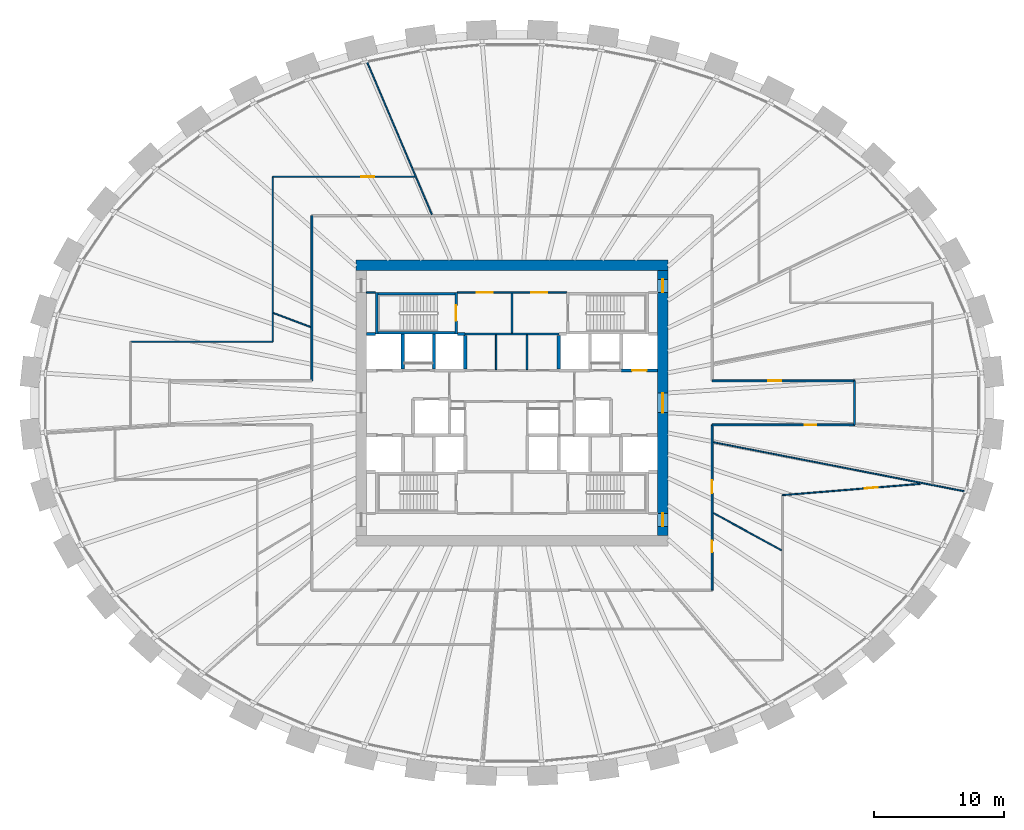
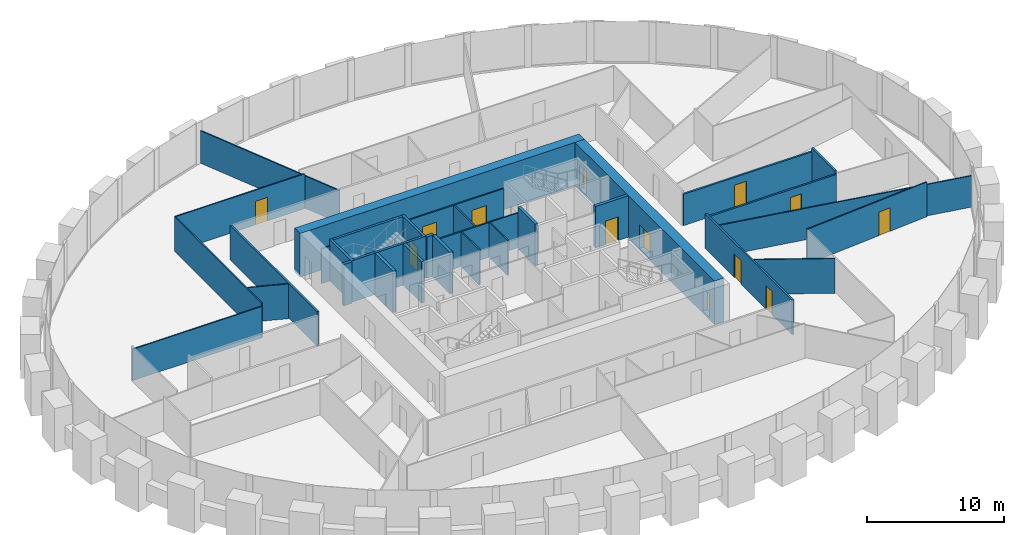
# One storey, part 8 of 10: 32 walls, 13 doors, 13 openings.
"""IFC4 building model written with IfcOpenShell, lengths in metres."""

from ifc_helpers import new_model, si_unit, direction, frame, frame_2d, origin, place, context, subcontext, project, spatial, rectangle, extrude, source, transform, mapped, material, layer, layer_set, type_object, element, fill, save


model = new_model("IFC4")

# Units and contexts
model_context = context("Model", 3, precision=1e-05, world=origin(), true_north=direction((0.0, 1.0)))
body_context = subcontext(model_context, "Body", "Model", "MODEL_VIEW")
ifc_project = project(units=[si_unit("LENGTHUNIT", "METRE"), si_unit("AREAUNIT", "SQUARE_METRE"), si_unit("VOLUMEUNIT", "CUBIC_METRE"), si_unit("PLANEANGLEUNIT", "RADIAN"), si_unit("MASSUNIT", "GRAM", prefix="KILO")], contexts=[model_context])

# Site, building, storey
site_placement = place(None, origin())
site = spatial("IfcSite", under=ifc_project, at=site_placement, CompositionType="ELEMENT")
building_placement = place(site_placement, origin())
building = spatial("IfcBuilding", under=site, at=building_placement, Name="Embergate Tower", CompositionType="ELEMENT")
storey_placement = place(building_placement, frame((0.0, 0.0, 175.5)))
storey = spatial("IfcBuildingStorey", under=building, at=storey_placement, Name="L39", CompositionType="ELEMENT", Elevation=175.5)

# Wall
ifc_material_1 = material(Name="Concrete C70", Category="concrete")
ifc_layer_1 = layer(ifc_material_1, 0.800048828125)
ifc_layer_set_1 = layer_set([ifc_layer_1], Name="Concrete C70")
wall_type_1 = type_object("IfcWallType", Name="Core outer wall C70 800", PredefinedType="SHEAR", material=ifc_layer_set_1)
shared_shape_1 = source(origin(), body_context, "Body", "SweptSolid", [
    extrude(rectangle(XDim=24.0, YDim=0.800048828125, at=frame_2d((12.0, 0.0))), origin(), (0.0, 0.0, 1.0), 3.89990234375),
])
wall_1_placement = place(storey_placement, frame((-12.0, 10.60009765625, -0.199951171875), z_axis=(0.0, 0.0, 1.0), x_axis=(1.0, 0.0, 0.0)))
element("IfcWall", 1, at=wall_1_placement, inside=storey, type_object=wall_type_1, Name="CW-L39-N", PredefinedType="SHEAR", context=body_context, shape_type="MappedRepresentation", body=[
    mapped(shared_shape_1, transform((0.0, 0.0, 0.0))),
])

# Wall, openings, doors
shared_shape_2 = source(origin(), body_context, "Body", "SweptSolid", [
    extrude(rectangle(XDim=20.39990234375, YDim=0.800048828125, at=frame_2d((10.199951171875, 0.0))), origin(), (0.0, 0.0, 1.0), 3.89990234375),
])
wall_2_placement = place(storey_placement, frame((11.60009765625, -10.199951171875, -0.199951171875), z_axis=(0.0, 0.0, 1.0), x_axis=(0.0, 1.0, 0.0)))
wall_2 = element("IfcWall", 2, at=wall_2_placement, inside=storey, type_object=wall_type_1, Name="CW-L39-E", PredefinedType="SHEAR", context=body_context, shape_type="MappedRepresentation", body=[
    mapped(shared_shape_2, transform((0.0, 0.0, 0.0))),
])
shared_shape_3 = source(origin(), body_context, "Body", "SweptSolid", [
    extrude(rectangle(XDim=1.0, YDim=2.10009765625, at=frame_2d((0.5, 1.050048828125))), frame((0.0, 0.409912109375, 0.0), z_axis=(0.0, -1.0, 0.0), x_axis=(1.0, 0.0, 0.0)), (0.0, 0.0, 1.0), 0.820068359375),
])
opening_1_placement = place(wall_2_placement, frame((18.699951171875, 0.0, 0.199951171875)))
opening_1 = element("IfcOpeningElement", 3, at=opening_1_placement, cuts=wall_2, Name="Opening IF-1d", PredefinedType="OPENING", context=body_context, shape_type="MappedRepresentation", body=[
    mapped(shared_shape_3, transform((0.0, 0.0, 0.0))),
])
opening_2_placement = place(wall_2_placement, frame((0.699951171875, 0.0, 0.199951171875)))
opening_2 = element("IfcOpeningElement", 4, at=opening_2_placement, cuts=wall_2, Name="Opening IF-1d", PredefinedType="OPENING", context=body_context, shape_type="MappedRepresentation", body=[
    mapped(shared_shape_3, transform((0.0, 0.0, 0.0))),
])
shared_shape_4 = source(origin(), body_context, "Body", "SweptSolid", [
    extrude(rectangle(XDim=1.5, YDim=2.10009765625, at=frame_2d((0.75, 1.050048828125))), frame((0.0, 0.409912109375, 0.0), z_axis=(0.0, -1.0, 0.0), x_axis=(1.0, 0.0, 0.0)), (0.0, 0.0, 1.0), 0.820068359375),
])
opening_3_placement = place(wall_2_placement, frame((9.449951171875, 0.0, 0.199951171875)))
opening_3 = element("IfcOpeningElement", 5, at=opening_3_placement, cuts=wall_2, Name="Opening IF-3", PredefinedType="OPENING", context=body_context, shape_type="MappedRepresentation", body=[
    mapped(shared_shape_4, transform((0.0, 0.0, 0.0))),
])
ifc_material_2 = material(Name="Lobby fire door pair 1500")
door_type_1 = type_object("IfcDoorType", Name="Lobby fire door pair 1500", OperationType="DOUBLE_DOOR_SINGLE_SWING", PredefinedType="DOOR", material=ifc_material_2)
shared_shape_5 = source(origin(), body_context, "Body", "SweptSolid", [
    extrude(rectangle(XDim=1.5, YDim=2.10009765625, at=frame_2d((0.75, 1.050048828125))), frame((0.0, 0.02490234375, 0.0), z_axis=(0.0, -1.0, 0.0), x_axis=(1.0, 0.0, 0.0)), (0.0, 0.0, 1.0), 0.050048828125),
])
door_1_placement = place(opening_3_placement, origin())
door_1 = element("IfcDoor", 6, at=door_1_placement, inside=storey, type_object=door_type_1, Name="IF-3 door", OperationType="DOUBLE_DOOR_SINGLE_SWING", OverallHeight=2.10009765625, OverallWidth=1.5, PredefinedType="DOOR", context=body_context, shape_type="MappedRepresentation", body=[
    mapped(shared_shape_5, transform((0.0, 0.0, 0.0))),
])
fill(opening_3, door_1)
ifc_material_3 = material(Name="Escape fire door 1000")
door_type_2 = type_object("IfcDoorType", Name="Escape fire door 1000", OperationType="SINGLE_SWING_LEFT", PredefinedType="DOOR", material=ifc_material_3)
shared_shape_6 = source(origin(), body_context, "Body", "SweptSolid", [
    extrude(rectangle(XDim=1.0, YDim=2.10009765625, at=frame_2d((0.5, 1.050048828125))), frame((0.0, 0.02490234375, 0.0), z_axis=(0.0, -1.0, 0.0), x_axis=(1.0, 0.0, 0.0)), (0.0, 0.0, 1.0), 0.050048828125),
])
door_2_placement = place(opening_1_placement, origin())
door_2 = element("IfcDoor", 7, at=door_2_placement, inside=storey, type_object=door_type_2, Name="IF-1 door", OperationType="SINGLE_SWING_RIGHT", OverallHeight=2.10009765625, OverallWidth=1.0, PredefinedType="DOOR", context=body_context, shape_type="MappedRepresentation", body=[
    mapped(shared_shape_6, transform((0.0, 0.0, 0.0))),
])
fill(opening_1, door_2)
door_3_placement = place(opening_2_placement, origin())
door_3 = element("IfcDoor", 8, at=door_3_placement, inside=storey, type_object=door_type_2, Name="IF-1 door", OperationType="SINGLE_SWING_RIGHT", OverallHeight=2.10009765625, OverallWidth=1.0, PredefinedType="DOOR", context=body_context, shape_type="MappedRepresentation", body=[
    mapped(shared_shape_6, transform((0.0, 0.0, 0.0))),
])
fill(opening_2, door_3)

# Walls
ifc_material_4 = material(Name="Concrete C50", Category="concrete")
ifc_layer_2 = layer(ifc_material_4, 0.25)
ifc_layer_set_2 = layer_set([ifc_layer_2], Name="Concrete C50")
wall_type_2 = type_object("IfcWallType", Name="Hoistway wall reinforced concrete 250", PredefinedType="SHEAR", material=ifc_layer_set_2)
shared_shape_7 = source(origin(), body_context, "Body", "SweptSolid", [
    extrude(rectangle(XDim=2.675048828125, YDim=0.25, at=frame_2d((1.33740234375, 0.0))), origin(), (0.0, 0.0, 1.0), 3.699951171875),
])
for number, where, z_axis, x_axis, name in (
    (9, (-8.39990234375, 2.625, 0.0), (0.0, 0.0, 1.0), (0.0, 1.0, 0.0), "HW-1 wall"),
    (10, (-6.0, 2.625, 0.0), (0.0, 0.0, 1.0), (0.0, 1.0, 0.0), "HW-1 wall"),
):
    element("IfcWall", number, at=place(storey_placement, frame(where, z_axis=z_axis, x_axis=x_axis)), inside=storey, type_object=wall_type_2, Name=name, PredefinedType="SHEAR", context=body_context, shape_type="MappedRepresentation", body=[
        mapped(shared_shape_7, transform((0.0, 0.0, 0.0))),
    ])
ifc_layer_3 = layer(ifc_material_4, 0.199951171875)
ifc_layer_set_3 = layer_set([ifc_layer_3], Name="Concrete C50")
wall_type_3 = type_object("IfcWallType", Name="Stair enclosure wall reinforced concrete 250", PredefinedType="SHEAR", material=ifc_layer_set_3)
shared_shape_8 = source(origin(), body_context, "Body", "SweptSolid", [
    extrude(rectangle(XDim=6.300048828125, YDim=0.199951171875, at=frame_2d((3.14990234375, 0.0))), origin(), (0.0, 0.0, 1.0), 3.699951171875),
])
for number, where, z_axis, x_axis, name in (
    (11, (-4.199951171875, 5.39990234375, 0.0), (0.0, 0.0, 1.0), (-1.0, 0.0, 0.0), "SE-1 wall"),
    (12, (-4.199951171875, 8.39990234375, 0.0), (0.0, 0.0, 1.0), (-1.0, 0.0, 0.0), "SE-1 wall"),
):
    element("IfcWall", number, at=place(storey_placement, frame(where, z_axis=z_axis, x_axis=x_axis)), inside=storey, type_object=wall_type_3, Name=name, PredefinedType="SHEAR", context=body_context, shape_type="MappedRepresentation", body=[
        mapped(shared_shape_8, transform((0.0, 0.0, 0.0))),
    ])
shared_shape_9 = source(origin(), body_context, "Body", "SweptSolid", [
    extrude(rectangle(XDim=2.550048828125, YDim=0.25, at=frame_2d((1.27490234375, 0.0))), origin(), (0.0, 0.0, 1.0), 3.699951171875),
])
for number, where, z_axis, x_axis, name in (
    (13, (-3.60009765625, 2.625, 0.0), (0.0, 0.0, 1.0), (0.0, 1.0, 0.0), "HW-1 wall"),
    (14, (3.60009765625, 5.175048828125, 0.0), (0.0, 0.0, 1.0), (0.0, -1.0, 0.0), "HW-1 wall"),
):
    element("IfcWall", number, at=place(storey_placement, frame(where, z_axis=z_axis, x_axis=x_axis)), inside=storey, type_object=wall_type_2, Name=name, PredefinedType="SHEAR", context=body_context, shape_type="MappedRepresentation", body=[
        mapped(shared_shape_9, transform((0.0, 0.0, 0.0))),
    ])

# Wall, opening, door
shared_shape_10 = source(origin(), body_context, "Body", "SweptSolid", [
    extrude(rectangle(XDim=3.199951171875, YDim=0.199951171875, at=frame_2d((1.60009765625, 0.0))), origin(), (0.0, 0.0, 1.0), 3.699951171875),
])
wall_3_placement = place(storey_placement, frame((-4.300048828125, 5.300048828125, 0.0), z_axis=(0.0, 0.0, 1.0), x_axis=(0.0, 1.0, 0.0)))
wall_3 = element("IfcWall", 15, at=wall_3_placement, inside=storey, type_object=wall_type_3, Name="SE-1 wall", PredefinedType="SHEAR", context=body_context, shape_type="MappedRepresentation", body=[
    mapped(shared_shape_10, transform((0.0, 0.0, 0.0))),
])
shared_shape_11 = source(origin(), body_context, "Body", "SweptSolid", [
    extrude(rectangle(XDim=1.199951171875, YDim=2.10009765625, at=frame_2d((0.60009765625, 1.050048828125))), frame((0.0, 0.10986328125, 0.0), z_axis=(0.0, -1.0, 0.0), x_axis=(1.0, 0.0, 0.0)), (0.0, 0.0, 1.0), 0.219970703125),
])
opening_4_placement = place(wall_3_placement, frame((1.0, 0.0, 0.0)))
opening_4 = element("IfcOpeningElement", 16, at=opening_4_placement, cuts=wall_3, Name="Opening IF-2", PredefinedType="OPENING", context=body_context, shape_type="MappedRepresentation", body=[
    mapped(shared_shape_11, transform((0.0, 0.0, 0.0))),
])
ifc_material_5 = material(Name="Stair enclosure door 1200")
door_type_3 = type_object("IfcDoorType", Name="Stair enclosure door 1200", OperationType="SINGLE_SWING_LEFT", PredefinedType="DOOR", material=ifc_material_5)
shared_shape_12 = source(origin(), body_context, "Body", "SweptSolid", [
    extrude(rectangle(XDim=1.199951171875, YDim=2.10009765625, at=frame_2d((0.60009765625, 1.050048828125))), frame((0.0, 0.02490234375, 0.0), z_axis=(0.0, -1.0, 0.0), x_axis=(1.0, 0.0, 0.0)), (0.0, 0.0, 1.0), 0.050048828125),
])
door_4_placement = place(opening_4_placement, origin())
door_4 = element("IfcDoor", 17, at=door_4_placement, inside=storey, type_object=door_type_3, Name="IF-2 door", OperationType="SINGLE_SWING_LEFT", OverallHeight=2.10009765625, OverallWidth=1.199951171875, PredefinedType="DOOR", context=body_context, shape_type="MappedRepresentation", body=[
    mapped(shared_shape_12, transform((0.0, 0.0, 0.0))),
])
fill(opening_4, door_4)

# Wall, openings, doors
ifc_material_6 = material(Name="Core partition blockwork 120")
ifc_layer_4 = layer(ifc_material_6, 0.1201171875)
ifc_layer_set_4 = layer_set([ifc_layer_4], Name="Core partition blockwork 120")
wall_type_4 = type_object("IfcWallType", Name="Core partition blockwork 120", PredefinedType="PARTITIONING", material=ifc_layer_set_4)
shared_shape_13 = source(origin(), body_context, "Body", "SweptSolid", [
    extrude(rectangle(XDim=8.39990234375, YDim=0.1201171875, at=frame_2d((4.199951171875, 0.0))), origin(), (0.0, 0.0, 1.0), 3.10009765625),
])
wall_4_placement = place(storey_placement, frame((4.199951171875, 8.5, 0.0), z_axis=(0.0, 0.0, 1.0), x_axis=(-1.0, 0.0, 0.0)))
wall_4 = element("IfcWall", 18, at=wall_4_placement, inside=storey, type_object=wall_type_4, Name="IP-3 wall", PredefinedType="PARTITIONING", context=body_context, shape_type="MappedRepresentation", body=[
    mapped(shared_shape_13, transform((0.0, 0.0, 0.0))),
])
shared_shape_14 = source(origin(), body_context, "Body", "SweptSolid", [
    extrude(rectangle(XDim=1.199951171875, YDim=2.10009765625, at=frame_2d((0.60009765625, 1.050048828125))), frame((0.0, 0.070068359375, 0.0), z_axis=(0.0, -1.0, 0.0), x_axis=(1.0, 0.0, 0.0)), (0.0, 0.0, 1.0), 0.14013671875),
])
opening_5_placement = place(wall_4_placement, frame((5.699951171875, 0.0, 0.0)))
opening_5 = element("IfcOpeningElement", 19, at=opening_5_placement, cuts=wall_4, Name="Opening IF-3f", PredefinedType="OPENING", context=body_context, shape_type="MappedRepresentation", body=[
    mapped(shared_shape_14, transform((0.0, 0.0, 0.0))),
])
opening_6_placement = place(wall_4_placement, frame((1.5, 0.0, 0.0)))
opening_6 = element("IfcOpeningElement", 20, at=opening_6_placement, cuts=wall_4, Name="Opening IF-3f", PredefinedType="OPENING", context=body_context, shape_type="MappedRepresentation", body=[
    mapped(shared_shape_14, transform((0.0, 0.0, 0.0))),
])
ifc_material_7 = material(Name="Lobby fire door pair 1200")
door_type_4 = type_object("IfcDoorType", Name="Lobby fire door pair 1200", OperationType="DOUBLE_DOOR_SINGLE_SWING", PredefinedType="DOOR", material=ifc_material_7)
door_5_placement = place(opening_5_placement, origin())
door_5 = element("IfcDoor", 21, at=door_5_placement, inside=storey, type_object=door_type_4, Name="IF-3 door", OperationType="DOUBLE_DOOR_SINGLE_SWING", OverallHeight=2.10009765625, OverallWidth=1.199951171875, PredefinedType="DOOR", context=body_context, shape_type="MappedRepresentation", body=[
    mapped(shared_shape_12, transform((0.0, 0.0, 0.0))),
])
fill(opening_5, door_5)
door_6_placement = place(opening_6_placement, origin())
door_6 = element("IfcDoor", 22, at=door_6_placement, inside=storey, type_object=door_type_4, Name="IF-3 door", OperationType="DOUBLE_DOOR_SINGLE_SWING", OverallHeight=2.10009765625, OverallWidth=1.199951171875, PredefinedType="DOOR", context=body_context, shape_type="MappedRepresentation", body=[
    mapped(shared_shape_12, transform((0.0, 0.0, 0.0))),
])
fill(opening_6, door_6)

# Walls
shared_shape_15 = source(origin(), body_context, "Body", "SweptSolid", [
    extrude(rectangle(XDim=2.679931640625, YDim=0.1201171875, at=frame_2d((1.33984375, 0.0))), origin(), (0.0, 0.0, 1.0), 3.10009765625),
])
for number, where, z_axis, x_axis, name in (
    (23, (-1.22412109375, 2.56005859375, 0.0), (0.0, 0.0, 1.0), (0.0, 1.0, 0.0), "IP-3 wall"),
    (24, (1.152099609375, 2.56005859375, 0.0), (0.0, 0.0, 1.0), (0.0, 1.0, 0.0), "IP-3 wall"),
):
    element("IfcWall", number, at=place(storey_placement, frame(where, z_axis=z_axis, x_axis=x_axis)), inside=storey, type_object=wall_type_4, Name=name, PredefinedType="PARTITIONING", context=body_context, shape_type="MappedRepresentation", body=[
        mapped(shared_shape_15, transform((0.0, 0.0, 0.0))),
    ])

# Wall, opening, door
shared_shape_16 = source(origin(), body_context, "Body", "SweptSolid", [
    extrude(rectangle(XDim=2.800048828125, YDim=0.25, at=frame_2d((1.39990234375, 0.0))), origin(), (0.0, 0.0, 1.0), 3.699951171875),
])
wall_5_placement = place(storey_placement, frame((8.39990234375, 2.5, 0.0), z_axis=(0.0, 0.0, 1.0), x_axis=(1.0, 0.0, 0.0)))
wall_5 = element("IfcWall", 25, at=wall_5_placement, inside=storey, type_object=wall_type_2, Name="HW-1 wall", PredefinedType="SHEAR", context=body_context, shape_type="MappedRepresentation", body=[
    mapped(shared_shape_16, transform((0.0, 0.0, 0.0))),
])
shared_shape_17 = source(origin(), body_context, "Body", "SweptSolid", [
    extrude(rectangle(XDim=1.10009765625, YDim=2.10009765625, at=frame_2d((0.550048828125, 1.050048828125))), frame((0.0, 0.135009765625, 0.0), z_axis=(0.0, -1.0, 0.0), x_axis=(1.0, 0.0, 0.0)), (0.0, 0.0, 1.0), 0.27001953125),
])
opening_7_placement = place(wall_5_placement, frame((0.85009765625, 0.0, 0.0)))
opening_7 = element("IfcOpeningElement", 26, at=opening_7_placement, cuts=wall_5, Name="Opening LD", PredefinedType="OPENING", context=body_context, shape_type="MappedRepresentation", body=[
    mapped(shared_shape_17, transform((0.0, 0.0, 0.0))),
])
ifc_material_8 = material(Name="Landing door sliding 1100")
door_type_5 = type_object("IfcDoorType", Name="Landing door sliding 1100", OperationType="SLIDING_TO_LEFT", PredefinedType="DOOR", material=ifc_material_8)
shared_shape_18 = source(origin(), body_context, "Body", "SweptSolid", [
    extrude(rectangle(XDim=1.10009765625, YDim=2.10009765625, at=frame_2d((0.550048828125, 1.050048828125))), frame((0.0, 0.02490234375, 0.0), z_axis=(0.0, -1.0, 0.0), x_axis=(1.0, 0.0, 0.0)), (0.0, 0.0, 1.0), 0.050048828125),
])
door_7_placement = place(opening_7_placement, origin())
door_7 = element("IfcDoor", 27, at=door_7_placement, inside=storey, type_object=door_type_5, Name="LD door", OperationType="SLIDING_TO_LEFT", OverallHeight=2.10009765625, OverallWidth=1.10009765625, PredefinedType="DOOR", context=body_context, shape_type="MappedRepresentation", body=[
    mapped(shared_shape_18, transform((0.0, 0.0, 0.0))),
])
fill(opening_7, door_7)

# Walls
shared_shape_19 = source(origin(), body_context, "Body", "SweptSolid", [
    extrude(rectangle(XDim=0.599853515625, YDim=0.25, at=frame_2d((0.2998046875, 0.0))), origin(), (0.0, 0.0, 1.0), 3.699951171875),
])
wall_6_placement = place(storey_placement, frame((-3.60009765625, 5.300048828125, 0.0), z_axis=(0.0, 0.0, 1.0), x_axis=(-1.0, 0.0, 0.0)))
element("IfcWall", 28, at=wall_6_placement, inside=storey, type_object=wall_type_2, Name="HW-1 wall", PredefinedType="SHEAR", context=body_context, shape_type="MappedRepresentation", body=[
    mapped(shared_shape_19, transform((0.0, 0.0, 0.0))),
])
shared_shape_20 = source(origin(), body_context, "Body", "SweptSolid", [
    extrude(rectangle(XDim=7.2001953125, YDim=0.1201171875, at=frame_2d((3.60009765625, 0.0))), origin(), (0.0, 0.0, 1.0), 3.10009765625),
])
wall_7_placement = place(storey_placement, frame((-3.60009765625, 5.300048828125, 0.0), z_axis=(0.0, 0.0, 1.0), x_axis=(1.0, 0.0, 0.0)))
element("IfcWall", 29, at=wall_7_placement, inside=storey, type_object=wall_type_4, Name="IP-3 wall", PredefinedType="PARTITIONING", context=body_context, shape_type="MappedRepresentation", body=[
    mapped(shared_shape_20, transform((0.0, 0.0, 0.0))),
])
shared_shape_21 = source(origin(), body_context, "Body", "SweptSolid", [
    extrude(rectangle(XDim=3.079833984375, YDim=0.1201171875, at=frame_2d((1.5400390625, 0.0))), origin(), (0.0, 0.0, 1.0), 3.10009765625),
])
wall_8_placement = place(storey_placement, frame((0.0, 5.360107421875, 0.0), z_axis=(0.0, 0.0, 1.0), x_axis=(0.0, 1.0, 0.0)))
element("IfcWall", 30, at=wall_8_placement, inside=storey, type_object=wall_type_4, Name="IP-3 wall", PredefinedType="PARTITIONING", context=body_context, shape_type="MappedRepresentation", body=[
    mapped(shared_shape_21, transform((0.0, 0.0, 0.0))),
])
shared_shape_22 = source(origin(), body_context, "Body", "SweptSolid", [
    extrude(rectangle(XDim=3.196044921875, YDim=0.199951171875, at=frame_2d((1.59814453125, 0.0))), origin(), (0.0, 0.0, 1.0), 3.699951171875),
])
wall_9_placement = place(storey_placement, frame((-10.39990234375, 8.498046875, 0.0), z_axis=(0.0, 0.0, 1.0), x_axis=(0.0, -1.0, 0.0)))
element("IfcWall", 31, at=wall_9_placement, inside=storey, type_object=wall_type_3, Name="SE-1 wall", PredefinedType="SHEAR", context=body_context, shape_type="MappedRepresentation", body=[
    mapped(shared_shape_22, transform((0.0, 0.0, 0.0))),
])
shared_shape_23 = source(origin(), body_context, "Body", "SweptSolid", [
    extrude(rectangle(XDim=0.697998046875, YDim=0.25, at=frame_2d((0.34912109375, 0.0))), origin(), (0.0, 0.0, 1.0), 3.699951171875),
])
wall_10_placement = place(storey_placement, frame((-10.501953125, 5.300048828125, 0.0), z_axis=(0.0, 0.0, 1.0), x_axis=(-1.0, 0.0, 0.0)))
element("IfcWall", 32, at=wall_10_placement, inside=storey, type_object=wall_type_2, Name="HW-1 wall", PredefinedType="SHEAR", context=body_context, shape_type="MappedRepresentation", body=[
    mapped(shared_shape_23, transform((0.0, 0.0, 0.0))),
])
shared_shape_24 = source(origin(), body_context, "Body", "SweptSolid", [
    extrude(rectangle(XDim=0.697998046875, YDim=0.1201171875, at=frame_2d((0.34912109375, 0.0))), origin(), (0.0, 0.0, 1.0), 3.10009765625),
])
wall_11_placement = place(storey_placement, frame((-11.199951171875, 8.5, 0.0), z_axis=(0.0, 0.0, 1.0), x_axis=(1.0, 0.0, 0.0)))
element("IfcWall", 33, at=wall_11_placement, inside=storey, type_object=wall_type_4, Name="IP-3 wall", PredefinedType="PARTITIONING", context=body_context, shape_type="MappedRepresentation", body=[
    mapped(shared_shape_24, transform((0.0, 0.0, 0.0))),
])

# Wall, opening, door
ifc_material_9 = material(Name="Corridor wall dry-lined 150")
ifc_layer_5 = layer(ifc_material_9, 0.14990234375)
ifc_layer_set_5 = layer_set([ifc_layer_5], Name="Corridor wall dry-lined 150")
wall_type_5 = type_object("IfcWallType", Name="Corridor wall dry-lined 150", PredefinedType="PARTITIONING", material=ifc_layer_set_5)
shared_shape_25 = source(origin(), body_context, "Body", "SweptSolid", [
    extrude(rectangle(XDim=10.9501953125, YDim=0.14990234375, at=frame_2d((5.47509765625, 0.0))), origin(), (0.0, 0.0, 1.0), 2.800048828125),
])
wall_12_placement = place(storey_placement, frame((26.35009765625, -1.699951171875, 0.0), z_axis=(0.0, 0.0, 1.0), x_axis=(-1.0, 0.0, 0.0)))
wall_12 = element("IfcWall", 34, at=wall_12_placement, inside=storey, type_object=wall_type_5, Name="IP-2 wall", PredefinedType="PARTITIONING", context=body_context, shape_type="MappedRepresentation", body=[
    mapped(shared_shape_25, transform((0.0, 0.0, 0.0))),
])
shared_shape_26 = source(origin(), body_context, "Body", "SweptSolid", [
    extrude(rectangle(XDim=0.89990234375, YDim=2.10009765625, at=frame_2d((0.449951171875, 1.050048828125))), frame((0.0, 0.0849609375, 0.0), z_axis=(0.0, -1.0, 0.0), x_axis=(1.0, 0.0, 0.0)), (0.0, 0.0, 1.0), 0.169921875),
])
opening_8_placement = place(wall_12_placement, frame((2.946044921875, 0.0, 0.0)))
opening_8 = element("IfcOpeningElement", 35, at=opening_8_placement, cuts=wall_12, Name="Opening IF-1c", PredefinedType="OPENING", context=body_context, shape_type="MappedRepresentation", body=[
    mapped(shared_shape_26, transform((0.0, 0.0, 0.0))),
])
ifc_material_10 = material(Name="Escape fire door 900")
door_type_6 = type_object("IfcDoorType", Name="Escape fire door 900", OperationType="SINGLE_SWING_LEFT", PredefinedType="DOOR", material=ifc_material_10)
shared_shape_27 = source(origin(), body_context, "Body", "SweptSolid", [
    extrude(rectangle(XDim=0.89990234375, YDim=2.10009765625, at=frame_2d((0.449951171875, 1.050048828125))), frame((0.0, 0.02490234375, 0.0), z_axis=(0.0, -1.0, 0.0), x_axis=(1.0, 0.0, 0.0)), (0.0, 0.0, 1.0), 0.050048828125),
])
door_8_placement = place(opening_8_placement, origin())
door_8 = element("IfcDoor", 36, at=door_8_placement, inside=storey, type_object=door_type_6, Name="IF-1 door", OperationType="SINGLE_SWING_LEFT", OverallHeight=2.10009765625, OverallWidth=0.89990234375, PredefinedType="DOOR", context=body_context, shape_type="MappedRepresentation", body=[
    mapped(shared_shape_27, transform((0.0, 0.0, 0.0))),
])
fill(opening_8, door_8)

wall_13_placement = place(storey_placement, frame((15.39990234375, 1.699951171875, 0.0), z_axis=(0.0, 0.0, 1.0), x_axis=(1.0, 0.0, 0.0)))
wall_13 = element("IfcWall", 37, at=wall_13_placement, inside=storey, type_object=wall_type_5, Name="IP-2 wall", PredefinedType="PARTITIONING", context=body_context, shape_type="MappedRepresentation", body=[
    mapped(shared_shape_25, transform((0.0, 0.0, 0.0))),
])
shared_shape_28 = source(origin(), body_context, "Body", "SweptSolid", [
    extrude(rectangle(XDim=1.0, YDim=2.10009765625, at=frame_2d((0.5, 1.050048828125))), frame((0.0, 0.0849609375, 0.0), z_axis=(0.0, -1.0, 0.0), x_axis=(1.0, 0.0, 0.0)), (0.0, 0.0, 1.0), 0.169921875),
])
opening_9_placement = place(wall_13_placement, frame((4.321044921875, 0.0, 0.0)))
opening_9 = element("IfcOpeningElement", 38, at=opening_9_placement, cuts=wall_13, Name="Opening ID-2", PredefinedType="OPENING", context=body_context, shape_type="MappedRepresentation", body=[
    mapped(shared_shape_28, transform((0.0, 0.0, 0.0))),
])
ifc_material_11 = material(Name="Interior door 1000")
door_type_7 = type_object("IfcDoorType", Name="Interior door 1000", OperationType="SINGLE_SWING_LEFT", PredefinedType="DOOR", material=ifc_material_11)
door_9_placement = place(opening_9_placement, origin())
door_9 = element("IfcDoor", 39, at=door_9_placement, inside=storey, type_object=door_type_7, Name="ID-2 door", OperationType="SINGLE_SWING_LEFT", OverallHeight=2.10009765625, OverallWidth=1.0, PredefinedType="DOOR", context=body_context, shape_type="MappedRepresentation", body=[
    mapped(shared_shape_6, transform((0.0, 0.0, 0.0))),
])
fill(opening_9, door_9)

# Wall
ifc_material_12 = material(Name="Partition dry-lined 100")
ifc_layer_6 = layer(ifc_material_12, 0.10009765625)
ifc_layer_set_6 = layer_set([ifc_layer_6], Name="Partition dry-lined 100")
wall_type_6 = type_object("IfcWallType", Name="Partition dry-lined 100", PredefinedType="PARTITIONING", material=ifc_layer_set_6)
shared_shape_29 = source(origin(), body_context, "Body", "SweptSolid", [
    extrude(rectangle(XDim=10.9501953125, YDim=0.10009765625, at=frame_2d((5.47509765625, 0.0))), origin(), (0.0, 0.0, 1.0), 2.800048828125),
])
wall_14_placement = place(storey_placement, frame((-18.39990234375, 4.699951171875, 0.0), z_axis=(0.0, 0.0, 1.0), x_axis=(-1.0, 0.0, 0.0)))
element("IfcWall", 40, at=wall_14_placement, inside=storey, type_object=wall_type_6, Name="IP-1 wall", PredefinedType="PARTITIONING", context=body_context, shape_type="MappedRepresentation", body=[
    mapped(shared_shape_29, transform((0.0, 0.0, 0.0))),
])

# Wall, openings, doors
shared_shape_30 = source(origin(), body_context, "Body", "SweptSolid", [
    extrude(rectangle(XDim=12.699951171875, YDim=0.14990234375, at=frame_2d((6.35009765625, 0.0))), origin(), (0.0, 0.0, 1.0), 3.10009765625),
])
wall_15_placement = place(storey_placement, frame((15.39990234375, -1.699951171875, 0.0), z_axis=(0.0, 0.0, 1.0), x_axis=(0.0, -1.0, 0.0)))
wall_15 = element("IfcWall", 41, at=wall_15_placement, inside=storey, type_object=wall_type_5, Name="IP-2 wall", PredefinedType="PARTITIONING", context=body_context, shape_type="MappedRepresentation", body=[
    mapped(shared_shape_30, transform((0.0, 0.0, 0.0))),
])
opening_10_placement = place(wall_15_placement, frame((8.905029296875, 0.0, 0.0)))
opening_10 = element("IfcOpeningElement", 42, at=opening_10_placement, cuts=wall_15, Name="Opening IF-1c", PredefinedType="OPENING", context=body_context, shape_type="MappedRepresentation", body=[
    mapped(shared_shape_26, transform((0.0, 0.0, 0.0))),
])
opening_11_placement = place(wall_15_placement, frame((4.241943359375, 0.0, 0.0)))
opening_11 = element("IfcOpeningElement", 43, at=opening_11_placement, cuts=wall_15, Name="Opening ID-2", PredefinedType="OPENING", context=body_context, shape_type="MappedRepresentation", body=[
    mapped(shared_shape_28, transform((0.0, 0.0, 0.0))),
])
door_10_placement = place(opening_10_placement, origin())
door_10 = element("IfcDoor", 44, at=door_10_placement, inside=storey, type_object=door_type_6, Name="IF-1 door", OperationType="SINGLE_SWING_LEFT", OverallHeight=2.10009765625, OverallWidth=0.89990234375, PredefinedType="DOOR", context=body_context, shape_type="MappedRepresentation", body=[
    mapped(shared_shape_27, transform((0.0, 0.0, 0.0))),
])
fill(opening_10, door_10)
door_11_placement = place(opening_11_placement, origin())
door_11 = element("IfcDoor", 45, at=door_11_placement, inside=storey, type_object=door_type_7, Name="ID-2 door", OperationType="SINGLE_SWING_RIGHT", OverallHeight=2.10009765625, OverallWidth=1.0, PredefinedType="DOOR", context=body_context, shape_type="MappedRepresentation", body=[
    mapped(shared_shape_6, transform((0.0, 0.0, 0.0))),
])
fill(opening_11, door_11)

# Walls
wall_16_placement = place(storey_placement, frame((-15.39990234375, 1.699951171875, 0.0), z_axis=(0.0, 0.0, 1.0), x_axis=(0.0, 1.0, 0.0)))
element("IfcWall", 46, at=wall_16_placement, inside=storey, type_object=wall_type_5, Name="IP-2 wall", PredefinedType="PARTITIONING", context=body_context, shape_type="MappedRepresentation", body=[
    mapped(shared_shape_30, transform((0.0, 0.0, 0.0))),
])
shared_shape_31 = source(origin(), body_context, "Body", "SweptSolid", [
    extrude(rectangle(XDim=3.39990234375, YDim=0.14990234375, at=frame_2d((1.699951171875, 0.0))), origin(), (0.0, 0.0, 1.0), 3.10009765625),
])
wall_17_placement = place(storey_placement, frame((26.35009765625, 1.699951171875, 0.0), z_axis=(0.0, 0.0, 1.0), x_axis=(0.0, -1.0, 0.0)))
element("IfcWall", 47, at=wall_17_placement, inside=storey, type_object=wall_type_5, Name="IP-2 wall", PredefinedType="PARTITIONING", context=body_context, shape_type="MappedRepresentation", body=[
    mapped(shared_shape_31, transform((0.0, 0.0, 0.0))),
])
shared_shape_32 = source(origin(), body_context, "Body", "SweptSolid", [
    extrude(rectangle(XDim=5.95849609375, YDim=0.10009765625, at=frame_2d((2.979248046875, 0.0))), origin(), (0.0, 0.0, 1.0), 3.10009765625),
])
wall_18_placement = place(storey_placement, frame((15.4990234375, -8.47900390625, 0.0), z_axis=(0.0, 0.0, 1.0), x_axis=(0.877260614166, -0.480014390236, 0.0)))
element("IfcWall", 48, at=wall_18_placement, inside=storey, type_object=wall_type_6, Name="IP-1 wall", PredefinedType="PARTITIONING", context=body_context, shape_type="MappedRepresentation", body=[
    mapped(shared_shape_32, transform((0.0, 0.0, 0.0))),
])
shared_shape_33 = source(origin(), body_context, "Body", "SweptSolid", [
    extrude(rectangle(XDim=12.699951171875, YDim=0.10009765625, at=frame_2d((6.35009765625, 0.0))), origin(), (0.0, 0.0, 1.0), 3.10009765625),
])
wall_19_placement = place(storey_placement, frame((-18.39990234375, 4.699951171875, 0.0), z_axis=(0.0, 0.0, 1.0), x_axis=(0.0, 1.0, 0.0)))
element("IfcWall", 49, at=wall_19_placement, inside=storey, type_object=wall_type_6, Name="IP-1 wall", PredefinedType="PARTITIONING", context=body_context, shape_type="MappedRepresentation", body=[
    mapped(shared_shape_33, transform((0.0, 0.0, 0.0))),
])

# Wall, opening, door
shared_shape_34 = source(origin(), body_context, "Body", "SweptSolid", [
    extrude(rectangle(XDim=10.624267578125, YDim=0.10009765625, at=frame_2d((5.31201171875, 0.0))), origin(), (0.0, 0.0, 1.0), 3.10009765625),
])
wall_20_placement = place(storey_placement, frame((31.388916015625, -6.23388671875, 0.0), z_axis=(0.0, 0.0, 1.0), x_axis=(-0.9966707585, -0.081531583767, 0.0)))
wall_20 = element("IfcWall", 50, at=wall_20_placement, inside=storey, type_object=wall_type_6, Name="IP-1 wall", PredefinedType="PARTITIONING", context=body_context, shape_type="MappedRepresentation", body=[
    mapped(shared_shape_34, transform((0.0, 0.0, 0.0))),
])
shared_shape_35 = source(origin(), body_context, "Body", "SweptSolid", [
    extrude(rectangle(XDim=1.0, YDim=2.10009765625, at=frame_2d((0.5, 1.050048828125))), frame((0.0, 0.06005859375, 0.0), z_axis=(0.0, -1.0, 0.0), x_axis=(1.0, 0.0, 0.0)), (0.0, 0.0, 1.0), 0.1201171875),
])
opening_12_placement = place(wall_20_placement, frame((3.26953125, 0.0, 0.0)))
opening_12 = element("IfcOpeningElement", 51, at=opening_12_placement, cuts=wall_20, Name="Opening ID-2", PredefinedType="OPENING", context=body_context, shape_type="MappedRepresentation", body=[
    mapped(shared_shape_35, transform((0.0, 0.0, 0.0))),
])
door_12_placement = place(opening_12_placement, origin())
door_12 = element("IfcDoor", 52, at=door_12_placement, inside=storey, type_object=door_type_7, Name="ID-2 door", OperationType="SINGLE_SWING_RIGHT", OverallHeight=2.10009765625, OverallWidth=1.0, PredefinedType="DOOR", context=body_context, shape_type="MappedRepresentation", body=[
    mapped(shared_shape_6, transform((0.0, 0.0, 0.0))),
])
fill(opening_12, door_12)

# Walls
shared_shape_36 = source(origin(), body_context, "Body", "SweptSolid", [
    extrude(rectangle(XDim=19.77197265625, YDim=0.10009765625, at=frame_2d((9.885986328125, 0.0))), origin(), (0.0, 0.0, 1.0), 2.800048828125),
])
wall_21_placement = place(storey_placement, frame((34.889892578125, -6.819091796875, 0.0), z_axis=(0.0, 0.0, 1.0), x_axis=(-0.981424811586, 0.191847176689, 0.0)))
element("IfcWall", 53, at=wall_21_placement, inside=storey, type_object=wall_type_6, Name="IP-1 wall", PredefinedType="PARTITIONING", context=body_context, shape_type="MappedRepresentation", body=[
    mapped(shared_shape_36, transform((0.0, 0.0, 0.0))),
])
shared_shape_37 = source(origin(), body_context, "Body", "SweptSolid", [
    extrude(rectangle(XDim=12.767333984375, YDim=0.10009765625, at=frame_2d((6.3837890625, 0.0))), origin(), (0.0, 0.0, 1.0), 2.89990234375),
])
wall_22_placement = place(storey_placement, frame((-11.162109375, 26.243896484375, 0.0), z_axis=(0.0, 0.0, 1.0), x_axis=(0.391395319475, -0.92022263822, 0.0)))
element("IfcWall", 54, at=wall_22_placement, inside=storey, type_object=wall_type_6, Name="IP-1 wall", PredefinedType="PARTITIONING", context=body_context, shape_type="MappedRepresentation", body=[
    mapped(shared_shape_37, transform((0.0, 0.0, 0.0))),
])
shared_shape_38 = source(origin(), body_context, "Body", "SweptSolid", [
    extrude(rectangle(XDim=3.034423828125, YDim=0.10009765625, at=frame_2d((1.51708984375, 0.0))), origin(), (0.0, 0.0, 1.0), 3.10009765625),
])
wall_23_placement = place(storey_placement, frame((-15.492919921875, 5.839111328125, 0.0), z_axis=(0.0, 0.0, 1.0), x_axis=(-0.935662883167, 0.352895124737, 0.0)))
element("IfcWall", 55, at=wall_23_placement, inside=storey, type_object=wall_type_6, Name="IP-1 wall", PredefinedType="PARTITIONING", context=body_context, shape_type="MappedRepresentation", body=[
    mapped(shared_shape_38, transform((0.0, 0.0, 0.0))),
])

# Wall, opening, door
shared_shape_39 = source(origin(), body_context, "Body", "SweptSolid", [
    extrude(rectangle(XDim=10.923828125, YDim=0.10009765625, at=frame_2d((5.4619140625, 0.0))), origin(), (0.0, 0.0, 1.0), 3.10009765625),
])
wall_24_placement = place(storey_placement, frame((-18.39990234375, 17.39990234375, 0.0), z_axis=(0.0, 0.0, 1.0), x_axis=(1.0, 0.0, 0.0)))
wall_24 = element("IfcWall", 56, at=wall_24_placement, inside=storey, type_object=wall_type_6, Name="IP-1 wall", PredefinedType="PARTITIONING", context=body_context, shape_type="MappedRepresentation", body=[
    mapped(shared_shape_39, transform((0.0, 0.0, 0.0))),
])
opening_13_placement = place(wall_24_placement, frame((6.785888671875, 0.0, 0.0)))
opening_13 = element("IfcOpeningElement", 57, at=opening_13_placement, cuts=wall_24, Name="Opening ID-2", PredefinedType="OPENING", context=body_context, shape_type="MappedRepresentation", body=[
    mapped(shared_shape_35, transform((0.0, 0.0, 0.0))),
])
door_13_placement = place(opening_13_placement, origin())
door_13 = element("IfcDoor", 58, at=door_13_placement, inside=storey, type_object=door_type_7, Name="ID-2 door", OperationType="SINGLE_SWING_RIGHT", OverallHeight=2.10009765625, OverallWidth=1.0, PredefinedType="DOOR", context=body_context, shape_type="MappedRepresentation", body=[
    mapped(shared_shape_6, transform((0.0, 0.0, 0.0))),
])
fill(opening_13, door_13)

save(model, "model.ifc")
